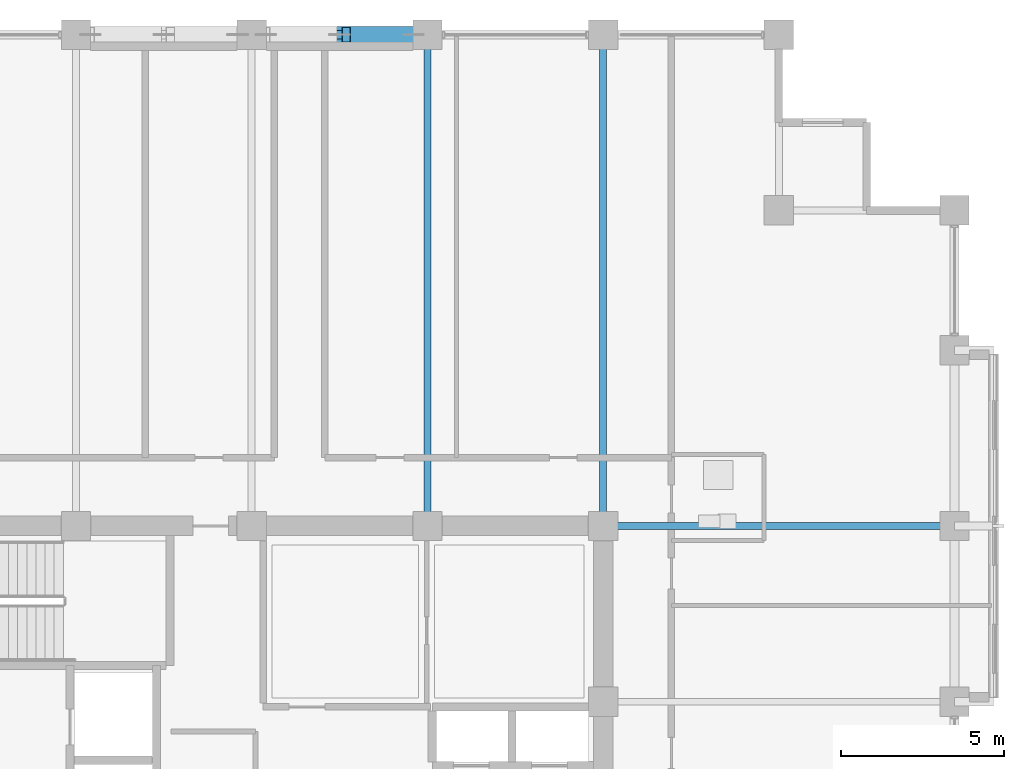
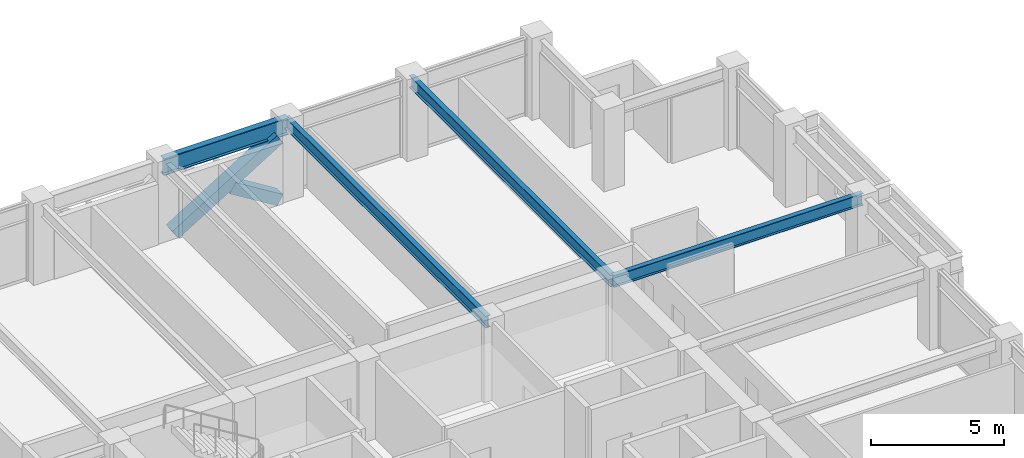
# One storey, part 21 of 32: 4 beams, 2 members.
"""IFC4 building model written with IfcOpenShell, lengths in metres."""

from ifc_helpers import new_model, si_unit, direction, frame, origin, origin_2d, place, context, subcontext, project, spatial, hollow_rectangle, i_section, extrude, material, material_profile, profile_set, type_object, element, save


model = new_model("IFC4")

# Units and contexts
model_context = context("Model", 3, precision=1e-05, world=origin(), true_north=direction((0.0, 1.0)))
body_context = subcontext(model_context, "Body", "Model", "MODEL_VIEW")
ifc_project = project(units=[si_unit("LENGTHUNIT", "METRE"), si_unit("AREAUNIT", "SQUARE_METRE"), si_unit("VOLUMEUNIT", "CUBIC_METRE"), si_unit("PLANEANGLEUNIT", "RADIAN"), si_unit("MASSUNIT", "GRAM", prefix="KILO")], contexts=[model_context])

# Site, building, storey
site_placement = place(None, origin())
site = spatial("IfcSite", under=ifc_project, at=site_placement, CompositionType="ELEMENT")
building_placement = place(site_placement, origin())
building = spatial("IfcBuilding", under=site, at=building_placement, Name="Surkhivell Harbour Commons", CompositionType="ELEMENT")
storey_placement = place(building_placement, frame((0.0, 0.0, 189.75)))
storey = spatial("IfcBuildingStorey", under=building, at=storey_placement, Name="L49", CompositionType="ELEMENT", Elevation=189.75)

# Beams
ifc_material_1 = material(Name="Steel S355", Category="steel")
ifc_material_profile_1 = material_profile(ifc_material_1, i_section(OverallWidth=0.2119140625, OverallDepth=0.5439453125, WebThickness=0.0126953125, FlangeThickness=0.021240234375, at=origin_2d()), Name="UB533x210x122")
ifc_profile_set_1 = profile_set([ifc_material_profile_1], Name="Steel S355")
beam_type_1 = type_object("IfcBeamType", Name="BM-GRD-533A", PredefinedType="BEAM", material=ifc_profile_set_1)
for number, where, z_axis, x_axis, name in (
    (1, (5.39990234375, 10.800048828125, 3.298095703125), (0.0, 1.0, 0.0), (-1.0, 0.0, 0.0), "L49 Floor Girder (5.4,10.8)"),
    (2, (10.800048828125, 10.800048828125, 3.298095703125), (0.0, 1.0, 0.0), (-1.0, 0.0, 0.0), "L49 Floor Girder (10.8,10.8)"),
):
    element("IfcBeam", number, at=place(storey_placement, frame(where, z_axis=z_axis, x_axis=x_axis)), inside=storey, type_object=beam_type_1, Name=name, PredefinedType="BEAM", context=body_context, shape_type="SweptSolid", body=[
        extrude(i_section(OverallWidth=0.2119140625, OverallDepth=0.5439453125, WebThickness=0.0126953125, FlangeThickness=0.021240234375, at=origin_2d()), origin(), (0.0, 0.0, 1.0), 15.099853515625),
    ])
beam_1_placement = place(storey_placement, frame((10.800048828125, 10.800048828125, 3.298095703125), z_axis=(1.0, 0.0, 0.0), x_axis=(0.0, 1.0, 0.0)))
element("IfcBeam", 3, at=beam_1_placement, inside=storey, type_object=beam_type_1, Name="L49 Floor Girder (10.8,10.8)", PredefinedType="BEAM", context=body_context, shape_type="SweptSolid", body=[
    extrude(i_section(OverallWidth=0.2119140625, OverallDepth=0.5439453125, WebThickness=0.0126953125, FlangeThickness=0.021240234375, at=origin_2d()), origin(), (0.0, 0.0, 1.0), 10.800048828125),
])
ifc_material_profile_2 = material_profile(ifc_material_1, i_section(OverallWidth=0.26806640625, OverallDepth=0.77001953125, WebThickness=0.015625, FlangeThickness=0.025390625, at=origin_2d()), Name="UB762x267x197")
ifc_profile_set_2 = profile_set([ifc_material_profile_2], Name="Steel S355")
beam_type_2 = type_object("IfcBeamType", Name="BM-SPN-762", PredefinedType="SPANDREL", material=ifc_profile_set_2)
beam_2_placement = place(storey_placement, frame((0.0, 25.89990234375, 3.18505859375), z_axis=(1.0, 0.0, 0.0), x_axis=(0.0, 1.0, 0.0)))
element("IfcBeam", 4, at=beam_2_placement, inside=storey, type_object=beam_type_2, Name="L49 Tube Spandrel (-0.0,25.9)", PredefinedType="SPANDREL", context=body_context, shape_type="SweptSolid", body=[
    extrude(i_section(OverallWidth=0.26806640625, OverallDepth=0.77001953125, WebThickness=0.015625, FlangeThickness=0.025390625, at=origin_2d()), origin(), (0.0, 0.0, 1.0), 5.39990234375),
])

# Members
ifc_material_2 = material(Name="Steel S460", Category="steel")
ifc_material_profile_3 = material_profile(ifc_material_2, hollow_rectangle(XDim=0.5, YDim=0.5, WallThickness=0.02490234375, at=origin_2d()), Name="SHS500x500x25")
ifc_profile_set_3 = profile_set([ifc_material_profile_3], Name="Steel S460")
member_type = type_object("IfcMemberType", Name="MEM-BRC-SHS500", PredefinedType="BRACE", material=ifc_profile_set_3)
member_1_placement = place(storey_placement, frame((0.43505859375, 25.89990234375, 0.008056640625), z_axis=(0.850971032488, 0.0, 0.525212625387), x_axis=(0.0, 1.0, 0.0)))
element("IfcMember", 5, at=member_1_placement, inside=storey, type_object=member_type, Name="L49 Perimeter Mega-Brace MB- 04", PredefinedType="BRACE", context=body_context, shape_type="SweptSolid", body=[
    extrude(hollow_rectangle(XDim=0.5, YDim=0.5, WallThickness=0.02490234375, at=origin_2d()), origin(), (0.0, 0.0, 1.0), 5.323486328125),
])
member_2_placement = place(storey_placement, frame((4.965087890625, 25.89990234375, 0.008056640625), z_axis=(-0.8510034189, 0.0, 0.525160147974), x_axis=(0.0, -1.0, 0.0)))
element("IfcMember", 6, at=member_2_placement, inside=storey, type_object=member_type, Name="L49 Perimeter Mega-Brace MB- 05", PredefinedType="BRACE", context=body_context, shape_type="SweptSolid", body=[
    extrude(hollow_rectangle(XDim=0.5, YDim=0.5, WallThickness=0.02490234375, at=origin_2d()), origin(), (0.0, 0.0, 1.0), 2.421630859375),
])

save(model, "model.ifc")
